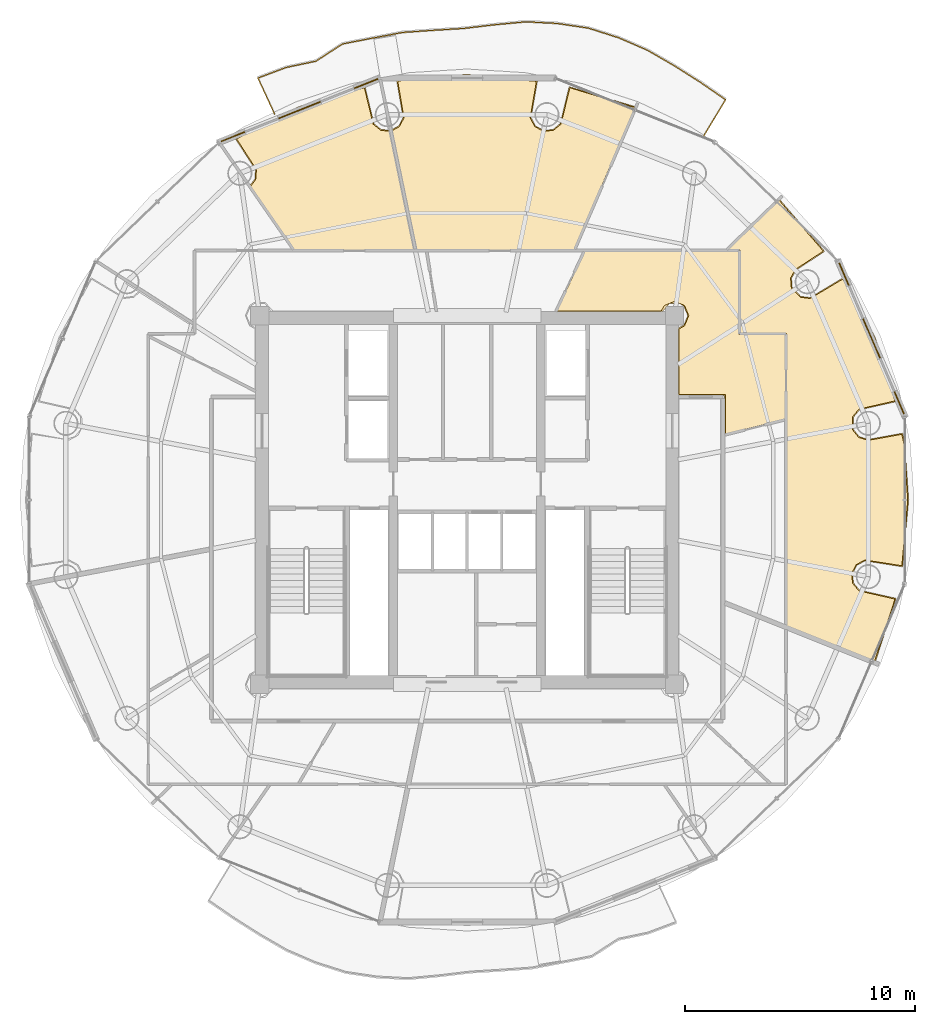
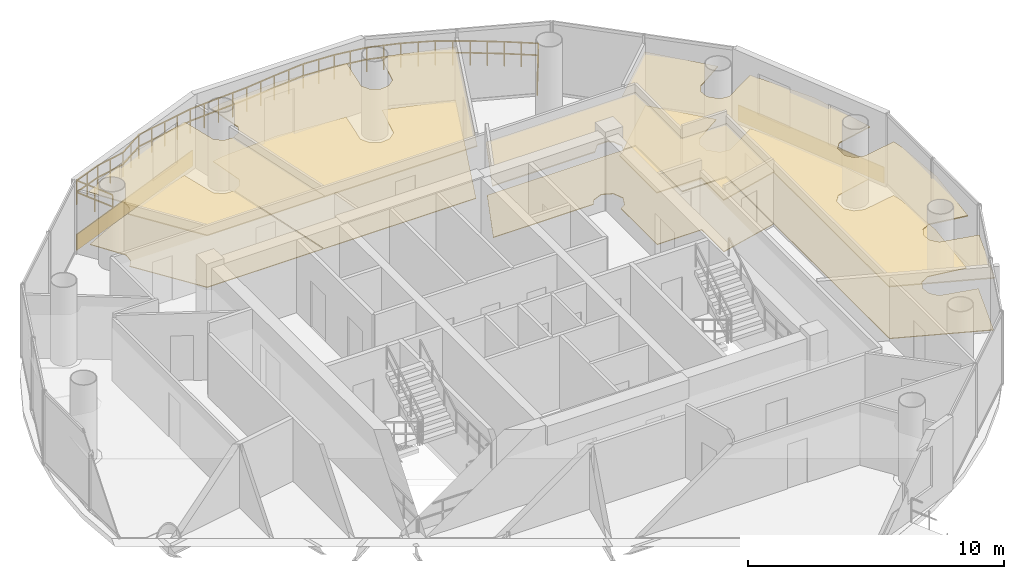
# One storey, part 23 of 23: 10 coverings, 1 railing.
"""IFC4 building model written with IfcOpenShell, lengths in metres."""

from ifc_helpers import new_model, si_unit, direction, frame, origin, origin_2d, place, context, subcontext, project, spatial, polyline, rectangle, outline, extrude, source, transform, mapped, material, layer, layer_set, type_object, element, save


model = new_model("IFC4")

# Units and contexts
model_context = context("Model", 3, precision=1e-05, world=origin(), true_north=direction((-0.2419218956, 0.970295726276)))
body_context = subcontext(model_context, "Body", "Model", "MODEL_VIEW")
ifc_project = project(units=[si_unit("LENGTHUNIT", "METRE"), si_unit("AREAUNIT", "SQUARE_METRE"), si_unit("VOLUMEUNIT", "CUBIC_METRE"), si_unit("PLANEANGLEUNIT", "RADIAN"), si_unit("MASSUNIT", "GRAM", prefix="KILO")], contexts=[model_context])

# Site, building, storey
site_placement = place(None, origin())
site = spatial("IfcSite", under=ifc_project, at=site_placement, CompositionType="ELEMENT")
building_placement = place(site_placement, origin())
building = spatial("IfcBuilding", under=site, at=building_placement, Name="Cobrevalo Terracotta Tower", CompositionType="ELEMENT")
storey_placement = place(building_placement, frame((0.0, 0.0, 248.199951171875)))
storey = spatial("IfcBuildingStorey", under=building, at=storey_placement, Name="L65", CompositionType="ELEMENT", Elevation=248.199951171875)

# Railing
ifc_material_1 = material(Name="Laminated structural glass and stainless steel", Category="steel")
railing_type = type_object("IfcRailingType", Name="Balcony lobe structural glass & terracotta-cap balustrade 1180 mm", PredefinedType="BALUSTRADE", material=ifc_material_1)
railing_placement = place(storey_placement, frame((48.234619140625, 42.54345703125, 0.0)))
element("IfcRailing", 1, at=railing_placement, inside=storey, type_object=railing_type, Name="L65 spiralling balcony lobe balustrade 1", PredefinedType="BALUSTRADE", context=body_context, shape_type="SweptSolid", body=[
    extrude(rectangle(XDim=0.048095703125, YDim=0.048095703125, at=origin_2d()), frame((0.0, 0.0, 1.15576171875), z_axis=(0.517139176741, 0.855901321345, 0.0), x_axis=(-0.855901321345, 0.517139176741, 0.0)), (0.0, 0.0, 1.0), 1.899658203125),
    extrude(rectangle(XDim=0.048095703125, YDim=0.048095703125, at=origin_2d()), frame((0.0, 0.0, 0.58984375), z_axis=(0.517139176741, 0.855901321345, 0.0), x_axis=(-0.855901321345, 0.517139176741, 0.0)), (0.0, 0.0, 1.0), 1.899658203125),
    extrude(rectangle(XDim=0.048095703125, YDim=0.048095703125, at=origin_2d()), frame((0.982421875, 1.6259765625, 1.15576171875), z_axis=(-0.823150569182, 0.567823159492, 0.0), x_axis=(-0.567823159492, -0.823150569182, 0.0)), (0.0, 0.0, 1.0), 1.328125),
    extrude(rectangle(XDim=0.048095703125, YDim=0.048095703125, at=origin_2d()), frame((0.982421875, 1.6259765625, 0.58984375), z_axis=(-0.823150569182, 0.567823159492, 0.0), x_axis=(-0.567823159492, -0.823150569182, 0.0)), (0.0, 0.0, 1.0), 1.328125),
    extrude(rectangle(XDim=0.048095703125, YDim=0.048095703125, at=origin_2d()), frame((-0.11083984375, 2.380126953125, 1.15576171875), z_axis=(-0.844214118979, 0.536006083282, 0.0), x_axis=(-0.536006083282, -0.844214118979, 0.0)), (0.0, 0.0, 1.0), 1.344970703125),
    extrude(rectangle(XDim=0.048095703125, YDim=0.048095703125, at=origin_2d()), frame((-0.11083984375, 2.380126953125, 0.58984375), z_axis=(-0.844214118979, 0.536006083282, 0.0), x_axis=(-0.536006083282, -0.844214118979, 0.0)), (0.0, 0.0, 1.0), 1.344970703125),
    extrude(rectangle(XDim=0.048095703125, YDim=0.048095703125, at=origin_2d()), frame((-1.246337890625, 3.10107421875, 1.15576171875), z_axis=(-0.865697078096, 0.500568246072, 0.0), x_axis=(-0.500568246072, -0.865697078096, 0.0)), (0.0, 0.0, 1.0), 1.357421875),
    extrude(rectangle(XDim=0.048095703125, YDim=0.048095703125, at=origin_2d()), frame((-1.246337890625, 3.10107421875, 0.58984375), z_axis=(-0.865697078096, 0.500568246072, 0.0), x_axis=(-0.500568246072, -0.865697078096, 0.0)), (0.0, 0.0, 1.0), 1.357421875),
    extrude(rectangle(XDim=0.048095703125, YDim=0.048095703125, at=origin_2d()), frame((-2.42138671875, 3.780517578125, 1.15576171875), z_axis=(-0.91861585113, 0.395151765849, 0.0), x_axis=(-0.395151765849, -0.91861585113, 0.0)), (0.0, 0.0, 1.0), 1.3623046875),
    extrude(rectangle(XDim=0.048095703125, YDim=0.048095703125, at=origin_2d()), frame((-2.42138671875, 3.780517578125, 0.58984375), z_axis=(-0.91861585113, 0.395151765849, 0.0), x_axis=(-0.395151765849, -0.91861585113, 0.0)), (0.0, 0.0, 1.0), 1.3623046875),
    extrude(rectangle(XDim=0.048095703125, YDim=0.048095703125, at=origin_2d()), frame((-3.6728515625, 4.31884765625, 1.15576171875), z_axis=(-0.952826900074, 0.303514247598, 0.0), x_axis=(-0.303514247598, -0.952826900074, 0.0)), (0.0, 0.0, 1.0), 1.362548828125),
    extrude(rectangle(XDim=0.048095703125, YDim=0.048095703125, at=origin_2d()), frame((-3.6728515625, 4.31884765625, 0.58984375), z_axis=(-0.952826900074, 0.303514247598, 0.0), x_axis=(-0.303514247598, -0.952826900074, 0.0)), (0.0, 0.0, 1.0), 1.362548828125),
    extrude(rectangle(XDim=0.048095703125, YDim=0.048095703125, at=origin_2d()), frame((-4.97119140625, 4.732421875, 1.15576171875), z_axis=(-0.989111207993, 0.14717003167, 0.0), x_axis=(-0.14717003167, -0.989111207993, 0.0)), (0.0, 0.0, 1.0), 1.366943359375),
    extrude(rectangle(XDim=0.048095703125, YDim=0.048095703125, at=origin_2d()), frame((-4.97119140625, 4.732421875, 0.58984375), z_axis=(-0.989111207993, 0.14717003167, 0.0), x_axis=(-0.14717003167, -0.989111207993, 0.0)), (0.0, 0.0, 1.0), 1.366943359375),
    extrude(rectangle(XDim=0.048095703125, YDim=0.048095703125, at=origin_2d()), frame((-6.3232421875, 4.93359375, 1.15576171875), z_axis=(-0.998620797723, 0.052502403325, 0.0), x_axis=(-0.052502403325, -0.998620797723, 0.0)), (0.0, 0.0, 1.0), 1.362548828125),
    extrude(rectangle(XDim=0.048095703125, YDim=0.048095703125, at=origin_2d()), frame((-6.3232421875, 4.93359375, 0.58984375), z_axis=(-0.998620797723, 0.052502403325, 0.0), x_axis=(-0.052502403325, -0.998620797723, 0.0)), (0.0, 0.0, 1.0), 1.362548828125),
    extrude(rectangle(XDim=0.048095703125, YDim=0.048095703125, at=origin_2d()), frame((-7.683837890625, 5.005126953125, 1.15576171875), z_axis=(-0.995644057367, -0.093235781916, 0.0), x_axis=(0.093235781916, -0.995644057367, 0.0)), (0.0, 0.0, 1.0), 1.369384765625),
    extrude(rectangle(XDim=0.048095703125, YDim=0.048095703125, at=origin_2d()), frame((-7.683837890625, 5.005126953125, 0.58984375), z_axis=(-0.995644057367, -0.093235781916, 0.0), x_axis=(0.093235781916, -0.995644057367, 0.0)), (0.0, 0.0, 1.0), 1.369384765625),
    extrude(rectangle(XDim=0.048095703125, YDim=0.048095703125, at=origin_2d()), frame((-9.04736328125, 4.87744140625, 1.15576171875), z_axis=(-0.992951250539, -0.118523474695, 0.0), x_axis=(0.118523474695, -0.992951250539, 0.0)), (0.0, 0.0, 1.0), 1.34716796875),
    extrude(rectangle(XDim=0.048095703125, YDim=0.048095703125, at=origin_2d()), frame((-9.04736328125, 4.87744140625, 0.58984375), z_axis=(-0.992951250539, -0.118523474695, 0.0), x_axis=(0.118523474695, -0.992951250539, 0.0)), (0.0, 0.0, 1.0), 1.34716796875),
    extrude(rectangle(XDim=0.048095703125, YDim=0.048095703125, at=origin_2d()), frame((-10.385009765625, 4.7177734375, 1.15576171875), z_axis=(-0.998135379418, -0.061039039596, 0.0), x_axis=(0.061039039596, -0.998135379418, 0.0)), (0.0, 0.0, 1.0), 1.327880859375),
    extrude(rectangle(XDim=0.048095703125, YDim=0.048095703125, at=origin_2d()), frame((-10.385009765625, 4.7177734375, 0.58984375), z_axis=(-0.998135379418, -0.061039039596, 0.0), x_axis=(0.061039039596, -0.998135379418, 0.0)), (0.0, 0.0, 1.0), 1.327880859375),
    extrude(rectangle(XDim=0.048095703125, YDim=0.048095703125, at=origin_2d()), frame((-11.71044921875, 4.63671875, 1.15576171875), z_axis=(-0.997556661415, -0.069862058853, 0.0), x_axis=(0.069862058853, -0.997556661415, 0.0)), (0.0, 0.0, 1.0), 1.327880859375),
    extrude(rectangle(XDim=0.048095703125, YDim=0.048095703125, at=origin_2d()), frame((-11.71044921875, 4.63671875, 0.58984375), z_axis=(-0.997556661415, -0.069862058853, 0.0), x_axis=(0.069862058853, -0.997556661415, 0.0)), (0.0, 0.0, 1.0), 1.327880859375),
    extrude(rectangle(XDim=0.048095703125, YDim=0.048095703125, at=origin_2d()), frame((-13.03515625, 4.5439453125, 1.15576171875), z_axis=(-0.982579327919, -0.185843655655, 0.0), x_axis=(0.185843655655, -0.982579327919, 0.0)), (0.0, 0.0, 1.0), 1.326904296875),
    extrude(rectangle(XDim=0.048095703125, YDim=0.048095703125, at=origin_2d()), frame((-13.03515625, 4.5439453125, 0.58984375), z_axis=(-0.982579327919, -0.185843655655, 0.0), x_axis=(0.185843655655, -0.982579327919, 0.0)), (0.0, 0.0, 1.0), 1.326904296875),
    extrude(rectangle(XDim=0.048095703125, YDim=0.048095703125, at=origin_2d()), frame((-14.3388671875, 4.29736328125, 1.15576171875), z_axis=(-0.981662284489, -0.19062832741, 0.0), x_axis=(0.19062832741, -0.981662284489, 0.0)), (0.0, 0.0, 1.0), 1.326904296875),
    extrude(rectangle(XDim=0.048095703125, YDim=0.048095703125, at=origin_2d()), frame((-14.3388671875, 4.29736328125, 0.58984375), z_axis=(-0.981662284489, -0.19062832741, 0.0), x_axis=(0.19062832741, -0.981662284489, 0.0)), (0.0, 0.0, 1.0), 1.326904296875),
    extrude(rectangle(XDim=0.048095703125, YDim=0.048095703125, at=origin_2d()), frame((-15.641357421875, 4.04443359375, 1.15576171875), z_axis=(-0.838858069873, -0.544350198502, 0.0), x_axis=(0.544350198502, -0.838858069873, 0.0)), (0.0, 0.0, 1.0), 1.3720703125),
    extrude(rectangle(XDim=0.048095703125, YDim=0.048095703125, at=origin_2d()), frame((-15.641357421875, 4.04443359375, 0.58984375), z_axis=(-0.838858069873, -0.544350198502, 0.0), x_axis=(0.544350198502, -0.838858069873, 0.0)), (0.0, 0.0, 1.0), 1.3720703125),
    extrude(rectangle(XDim=0.048095703125, YDim=0.048095703125, at=origin_2d()), frame((-16.792236328125, 3.297607421875, 1.15576171875), z_axis=(-0.978610646149, -0.205721178405, 0.0), x_axis=(0.205721178405, -0.978610646149, 0.0)), (0.0, 0.0, 1.0), 1.318603515625),
    extrude(rectangle(XDim=0.048095703125, YDim=0.048095703125, at=origin_2d()), frame((-16.792236328125, 3.297607421875, 0.58984375), z_axis=(-0.978610646149, -0.205721178405, 0.0), x_axis=(0.205721178405, -0.978610646149, 0.0)), (0.0, 0.0, 1.0), 1.318603515625),
    extrude(rectangle(XDim=0.048095703125, YDim=0.048095703125, at=origin_2d()), frame((-18.08251953125, 3.0263671875, 1.15576171875), z_axis=(-0.936237318565, -0.351368301538, 0.0), x_axis=(0.351368301538, -0.936237318565, 0.0)), (0.0, 0.0, 1.0), 1.31103515625),
    extrude(rectangle(XDim=0.048095703125, YDim=0.048095703125, at=origin_2d()), frame((-18.08251953125, 3.0263671875, 0.58984375), z_axis=(-0.936237318565, -0.351368301538, 0.0), x_axis=(0.351368301538, -0.936237318565, 0.0)), (0.0, 0.0, 1.0), 1.31103515625),
    extrude(rectangle(XDim=0.048095703125, YDim=0.048095703125, at=origin_2d()), frame((-19.31005859375, 2.565673828125, 1.15576171875), z_axis=(0.420568580849, -0.907260750172, 0.0), x_axis=(0.907260750172, 0.420568580849, 0.0)), (0.0, 0.0, 1.0), 1.731689453125),
    extrude(rectangle(XDim=0.048095703125, YDim=0.048095703125, at=origin_2d()), frame((-19.31005859375, 2.565673828125, 0.58984375), z_axis=(0.420568580849, -0.907260750172, 0.0), x_axis=(0.907260750172, 0.420568580849, 0.0)), (0.0, 0.0, 1.0), 1.731689453125),
    extrude(rectangle(XDim=0.0419921875, YDim=0.0419921875, at=origin_2d()), origin(), (0.0, 0.0, 1.0), 1.1318359375),
    extrude(rectangle(XDim=0.0419921875, YDim=0.0419921875, at=origin_2d()), frame((0.4912109375, 0.81298828125, 0.0)), (0.0, 0.0, 1.0), 1.1318359375),
    extrude(rectangle(XDim=0.0419921875, YDim=0.0419921875, at=origin_2d()), frame((0.982421875, 1.6259765625, 0.0)), (0.0, 0.0, 1.0), 1.1318359375),
    extrude(rectangle(XDim=0.0419921875, YDim=0.0419921875, at=origin_2d()), frame((0.435791015625, 2.0029296875, 0.0)), (0.0, 0.0, 1.0), 1.1318359375),
    extrude(rectangle(XDim=0.0419921875, YDim=0.0419921875, at=origin_2d()), frame((-0.11083984375, 2.380126953125, 0.0)), (0.0, 0.0, 1.0), 1.1318359375),
    extrude(rectangle(XDim=0.0419921875, YDim=0.0419921875, at=origin_2d()), frame((-0.6787109375, 2.74072265625, 0.0)), (0.0, 0.0, 1.0), 1.1318359375),
    extrude(rectangle(XDim=0.0419921875, YDim=0.0419921875, at=origin_2d()), frame((-1.246337890625, 3.10107421875, 0.0)), (0.0, 0.0, 1.0), 1.1318359375),
    extrude(rectangle(XDim=0.0419921875, YDim=0.0419921875, at=origin_2d()), frame((-1.833984375, 3.44091796875, 0.0)), (0.0, 0.0, 1.0), 1.1318359375),
    extrude(rectangle(XDim=0.0419921875, YDim=0.0419921875, at=origin_2d()), frame((-2.42138671875, 3.780517578125, 0.0)), (0.0, 0.0, 1.0), 1.1318359375),
    extrude(rectangle(XDim=0.0419921875, YDim=0.0419921875, at=origin_2d()), frame((-3.047119140625, 4.0498046875, 0.0)), (0.0, 0.0, 1.0), 1.1318359375),
    extrude(rectangle(XDim=0.0419921875, YDim=0.0419921875, at=origin_2d()), frame((-3.6728515625, 4.31884765625, 0.0)), (0.0, 0.0, 1.0), 1.1318359375),
    extrude(rectangle(XDim=0.0419921875, YDim=0.0419921875, at=origin_2d()), frame((-4.322021484375, 4.525634765625, 0.0)), (0.0, 0.0, 1.0), 1.1318359375),
    extrude(rectangle(XDim=0.0419921875, YDim=0.0419921875, at=origin_2d()), frame((-4.97119140625, 4.732421875, 0.0)), (0.0, 0.0, 1.0), 1.1318359375),
    extrude(rectangle(XDim=0.0419921875, YDim=0.0419921875, at=origin_2d()), frame((-5.647216796875, 4.8330078125, 0.0)), (0.0, 0.0, 1.0), 1.1318359375),
    extrude(rectangle(XDim=0.0419921875, YDim=0.0419921875, at=origin_2d()), frame((-6.3232421875, 4.93359375, 0.0)), (0.0, 0.0, 1.0), 1.1318359375),
    extrude(rectangle(XDim=0.0419921875, YDim=0.0419921875, at=origin_2d()), frame((-7.00341796875, 4.96923828125, 0.0)), (0.0, 0.0, 1.0), 1.1318359375),
    extrude(rectangle(XDim=0.0419921875, YDim=0.0419921875, at=origin_2d()), frame((-7.683837890625, 5.005126953125, 0.0)), (0.0, 0.0, 1.0), 1.1318359375),
    extrude(rectangle(XDim=0.0419921875, YDim=0.0419921875, at=origin_2d()), frame((-8.36572265625, 4.94140625, 0.0)), (0.0, 0.0, 1.0), 1.1318359375),
    extrude(rectangle(XDim=0.0419921875, YDim=0.0419921875, at=origin_2d()), frame((-9.04736328125, 4.87744140625, 0.0)), (0.0, 0.0, 1.0), 1.1318359375),
    extrude(rectangle(XDim=0.0419921875, YDim=0.0419921875, at=origin_2d()), frame((-9.71630859375, 4.797607421875, 0.0)), (0.0, 0.0, 1.0), 1.1318359375),
    extrude(rectangle(XDim=0.0419921875, YDim=0.0419921875, at=origin_2d()), frame((-10.385009765625, 4.7177734375, 0.0)), (0.0, 0.0, 1.0), 1.1318359375),
    extrude(rectangle(XDim=0.0419921875, YDim=0.0419921875, at=origin_2d()), frame((-11.0478515625, 4.67724609375, 0.0)), (0.0, 0.0, 1.0), 1.1318359375),
    extrude(rectangle(XDim=0.0419921875, YDim=0.0419921875, at=origin_2d()), frame((-11.71044921875, 4.63671875, 0.0)), (0.0, 0.0, 1.0), 1.1318359375),
    extrude(rectangle(XDim=0.0419921875, YDim=0.0419921875, at=origin_2d()), frame((-12.372802734375, 4.59033203125, 0.0)), (0.0, 0.0, 1.0), 1.1318359375),
    extrude(rectangle(XDim=0.0419921875, YDim=0.0419921875, at=origin_2d()), frame((-13.03515625, 4.5439453125, 0.0)), (0.0, 0.0, 1.0), 1.1318359375),
    extrude(rectangle(XDim=0.0419921875, YDim=0.0419921875, at=origin_2d()), frame((-13.68701171875, 4.420654296875, 0.0)), (0.0, 0.0, 1.0), 1.1318359375),
    extrude(rectangle(XDim=0.0419921875, YDim=0.0419921875, at=origin_2d()), frame((-14.3388671875, 4.29736328125, 0.0)), (0.0, 0.0, 1.0), 1.1318359375),
    extrude(rectangle(XDim=0.0419921875, YDim=0.0419921875, at=origin_2d()), frame((-14.990234375, 4.1708984375, 0.0)), (0.0, 0.0, 1.0), 1.1318359375),
    extrude(rectangle(XDim=0.0419921875, YDim=0.0419921875, at=origin_2d()), frame((-15.641357421875, 4.04443359375, 0.0)), (0.0, 0.0, 1.0), 1.1318359375),
    extrude(rectangle(XDim=0.0419921875, YDim=0.0419921875, at=origin_2d()), frame((-16.216796875, 3.6708984375, 0.0)), (0.0, 0.0, 1.0), 1.1318359375),
    extrude(rectangle(XDim=0.0419921875, YDim=0.0419921875, at=origin_2d()), frame((-16.792236328125, 3.297607421875, 0.0)), (0.0, 0.0, 1.0), 1.1318359375),
    extrude(rectangle(XDim=0.0419921875, YDim=0.0419921875, at=origin_2d()), frame((-17.4375, 3.162109375, 0.0)), (0.0, 0.0, 1.0), 1.1318359375),
    extrude(rectangle(XDim=0.0419921875, YDim=0.0419921875, at=origin_2d()), frame((-18.08251953125, 3.0263671875, 0.0)), (0.0, 0.0, 1.0), 1.1318359375),
    extrude(rectangle(XDim=0.0419921875, YDim=0.0419921875, at=origin_2d()), frame((-18.6962890625, 2.7958984375, 0.0)), (0.0, 0.0, 1.0), 1.1318359375),
    extrude(rectangle(XDim=0.0419921875, YDim=0.0419921875, at=origin_2d()), frame((-19.31005859375, 2.565673828125, 0.0)), (0.0, 0.0, 1.0), 1.1318359375),
    extrude(rectangle(XDim=0.0419921875, YDim=0.0419921875, at=origin_2d()), frame((-18.94580078125, 1.7802734375, 0.0)), (0.0, 0.0, 1.0), 1.1318359375),
    extrude(rectangle(XDim=0.0419921875, YDim=0.0419921875, at=origin_2d()), frame((-18.581787109375, 0.99462890625, 0.0)), (0.0, 0.0, 1.0), 1.1318359375),
])

# Coverings
ifc_material_2 = material(Name="Engineered Brazilian hardwood flooring", Category="wood")
ifc_layer_1 = layer(ifc_material_2, 0.028076171875)
ifc_layer_set_1 = layer_set([ifc_layer_1], Name="Engineered Brazilian hardwood flooring")
covering_type_1 = type_object("IfcCoveringType", Name="Engineered Hardwood Suite Flooring 28", PredefinedType="FLOORING", material=ifc_layer_set_1)
covering_1_placement = place(storey_placement, origin())
element("IfcCovering", 2, at=covering_1_placement, inside=storey, type_object=covering_type_1, Name="Flat L65A Penthouse Living and Dining Room floor finish", PredefinedType="FLOORING", context=body_context, shape_type="SweptSolid", body=[
    extrude(outline(polyline([(51.52978515625, 39.81396484375), (53.4560546875, 37.599365234375), (52.2451171875, 36.805419921875), (52.035400390625, 36.43017578125), (52.06982421875, 36.001953125), (52.462890625, 35.593994140625), (52.8896484375, 35.5439453125), (54.300048828125, 36.382568359375), (55.66455078125, 33.848876953125), (56.56494140625, 31.1005859375), (55.00244140625, 30.74462890625), (54.727294921875, 30.41455078125), (54.72314453125, 29.84814453125), (54.9931640625, 29.51416015625), (55.4033203125, 29.38623046875), (56.8642578125, 29.65087890625), (56.956298828125, 29.2041015625), (57.119873046875, 26.800048828125), (56.8642578125, 23.948974609375), (55.259033203125, 24.198486328125), (54.881591796875, 23.9931640625), (54.681884765625, 23.612548828125), (54.727294921875, 23.185302734375), (55.00244140625, 22.855224609375), (56.56494140625, 22.49951171875), (55.669921875, 19.766357421875), (51.85498046875, 21.289794921875), (51.85498046875, 34.030029296875), (49.844970703125, 34.030029296875), (49.844970703125, 37.64501953125), (49.27978515625, 37.64501953125), (51.52978515625, 39.81396484375)])), origin(), (0.0, 0.0, 1.0), 0.030029296875),
])
covering_2_placement = place(storey_placement, origin())
element("IfcCovering", 3, at=covering_2_placement, inside=storey, type_object=covering_type_1, Name="Flat L65A Penthouse Family Lounge floor finish", PredefinedType="FLOORING", context=body_context, shape_type="SweptSolid", body=[
    extrude(outline(polyline([(34.71728515625, 42.80712890625), (35.064453125, 43.003173828125), (35.26416015625, 43.3837890625), (34.994140625, 44.964599609375), (35.504150390625, 45.062255859375), (38.0, 45.219970703125), (41.005859375, 44.964599609375), (40.73583984375, 43.3837890625), (40.935546875, 43.003173828125), (41.312744140625, 42.797607421875), (41.74072265625, 42.83642578125), (42.074951171875, 43.1064453125), (42.45947265625, 44.68603515625), (45.294189453125, 43.8251953125), (42.638427734375, 37.64501953125), (35.782470703125, 37.64501953125), (34.71728515625, 42.80712890625)])), origin(), (0.0, 0.0, 1.0), 0.030029296875),
])
covering_3_placement = place(storey_placement, origin())
element("IfcCovering", 4, at=covering_3_placement, inside=storey, type_object=covering_type_1, Name="Flat L65A Principal Guest Bedroom floor finish", PredefinedType="FLOORING", context=body_context, shape_type="SweptSolid", body=[
    extrude(outline(polyline([(28.59716796875, 40.399658203125), (28.82763671875, 40.706298828125), (28.861572265625, 41.134521484375), (28.00146484375, 42.4697265625), (30.682861328125, 43.817626953125), (33.54052734375, 44.68603515625), (33.925048828125, 43.1064453125), (34.25927734375, 42.83642578125), (34.678466796875, 42.796630859375), (35.74169921875, 37.64501953125), (30.506591796875, 37.64501953125), (28.59716796875, 40.399658203125)])), origin(), (0.0, 0.0, 1.0), 0.030029296875),
])
ifc_material_3 = material(Name="Honed terracotta and granite tile", Category="masonry")
ifc_layer_2 = layer(ifc_material_3, 0.034912109375)
ifc_layer_set_2 = layer_set([ifc_layer_2], Name="Honed terracotta and granite tile")
covering_type_2 = type_object("IfcCoveringType", Name="Honed Terracotta & Granite Interior Flooring 35", PredefinedType="FLOORING", material=ifc_layer_set_2)
covering_4_placement = place(storey_placement, origin())
element("IfcCovering", 5, at=covering_4_placement, inside=storey, type_object=covering_type_2, Name="Flat L65A Apartment Entrance Hall floor finish", PredefinedType="FLOORING", context=body_context, shape_type="SweptSolid", body=[
    extrude(outline(polyline([(47.195068359375, 31.3798828125), (47.195068359375, 34.218505859375), (47.438720703125, 34.361328125), (47.620361328125, 34.800048828125), (47.438720703125, 35.23876953125), (47.0, 35.42041015625), (46.561279296875, 35.23876953125), (46.41845703125, 34.9951171875), (41.885009765625, 34.9951171875), (43.115234375, 37.60498046875), (49.804931640625, 37.60498046875), (49.804931640625, 33.989990234375), (51.81494140625, 33.989990234375), (51.81494140625, 30.312255859375), (49.205078125, 29.652587890625), (49.205078125, 31.3798828125), (47.195068359375, 31.3798828125)])), origin(), (0.0, 0.0, 1.0), 0.030029296875),
])
ifc_material_4 = material(Name="Acoustic perforated gypsum ceiling", Category="gypsum")
ifc_layer_3 = layer(ifc_material_4, 0.050048828125)
ifc_layer_set_3 = layer_set([ifc_layer_3], Name="Acoustic perforated gypsum ceiling")
covering_type_3 = type_object("IfcCoveringType", Name="Perforated Acoustic Gypsum Ceiling 50", PredefinedType="CEILING", material=ifc_layer_set_3)
covering_5_placement = place(storey_placement, frame((0.0, 0.0, 2.5)))
element("IfcCovering", 6, at=covering_5_placement, inside=storey, type_object=covering_type_3, Name="Flat L65A Penthouse Living and Dining Room acoustic ceiling", PredefinedType="CEILING", context=body_context, shape_type="SweptSolid", body=[
    extrude(outline(polyline([(51.531982421875, 39.87841796875), (53.51953125, 37.586669921875), (52.2763671875, 36.772705078125), (52.07958984375, 36.420654296875), (52.11181640625, 36.0185546875), (52.48095703125, 35.635498046875), (52.881591796875, 35.588623046875), (54.312255859375, 36.44384765625), (55.7060546875, 33.86669921875), (56.6181640625, 31.06494140625), (55.02734375, 30.70703125), (54.76904296875, 30.39697265625), (54.764892578125, 29.865234375), (55.0185546875, 29.551513671875), (55.40380859375, 29.431396484375), (56.899169921875, 29.703369140625), (57.0009765625, 29.210205078125), (57.1650390625, 26.800048828125), (56.899169921875, 23.896484375), (55.268310546875, 24.154296875), (54.913818359375, 23.96142578125), (54.726318359375, 23.60400390625), (54.76904296875, 23.202880859375), (55.02734375, 22.89306640625), (56.6181640625, 22.53515625), (55.69677734375, 19.707275390625), (51.81005859375, 21.25927734375), (51.81005859375, 33.985107421875), (49.800048828125, 33.985107421875), (49.800048828125, 37.60009765625), (49.168212890625, 37.60009765625), (51.531982421875, 39.87841796875)])), origin(), (0.0, 0.0, 1.0), 0.050048828125),
])
covering_6_placement = place(storey_placement, frame((0.0, 0.0, 2.5)))
element("IfcCovering", 7, at=covering_6_placement, inside=storey, type_object=covering_type_3, Name="Flat L65A Penthouse Family Lounge acoustic ceiling", PredefinedType="CEILING", context=body_context, shape_type="SweptSolid", body=[
    extrude(outline(polyline([(34.6650390625, 42.837890625), (35.0322265625, 43.034912109375), (35.2197265625, 43.39208984375), (34.94091796875, 45.000244140625), (35.49853515625, 45.107177734375), (38.0, 45.26513671875), (41.05908203125, 45.000244140625), (40.7802734375, 43.39208984375), (40.9677734375, 43.034912109375), (41.322021484375, 42.842041015625), (41.7236328125, 42.87841796875), (42.03759765625, 43.1318359375), (42.424560546875, 44.738525390625), (45.35498046875, 43.852783203125), (42.668212890625, 37.60009765625), (35.745849609375, 37.60009765625), (34.6650390625, 42.837890625)])), origin(), (0.0, 0.0, 1.0), 0.050048828125),
])
covering_7_placement = place(storey_placement, frame((0.0, 0.0, 2.5)))
element("IfcCovering", 8, at=covering_7_placement, inside=storey, type_object=covering_type_3, Name="Flat L65A Principal Guest Bedroom acoustic ceiling", PredefinedType="CEILING", context=body_context, shape_type="SweptSolid", body=[
    extrude(outline(polyline([(28.537109375, 40.407470703125), (28.785400390625, 40.72265625), (28.8173828125, 41.124755859375), (27.937744140625, 42.482421875), (30.666259765625, 43.859619140625), (33.575439453125, 44.738525390625), (33.96240234375, 43.1318359375), (34.2763671875, 42.87841796875), (34.71435546875, 42.845703125), (35.796875, 37.60009765625), (30.483154296875, 37.60009765625), (28.537109375, 40.407470703125)])), origin(), (0.0, 0.0, 1.0), 0.050048828125),
])
covering_8_placement = place(storey_placement, frame((0.0, 0.0, 2.5)))
element("IfcCovering", 9, at=covering_8_placement, inside=storey, type_object=covering_type_3, Name="Flat L65A Apartment Entrance Hall acoustic ceiling", PredefinedType="CEILING", context=body_context, shape_type="SweptSolid", body=[
    extrude(outline(polyline([(47.14990234375, 31.3349609375), (47.14990234375, 34.25537109375), (47.40625, 34.393798828125), (47.574462890625, 34.800048828125), (47.40625, 35.206298828125), (47.219970703125, 35.330810546875), (46.780029296875, 35.330810546875), (46.455322265625, 34.949951171875), (41.81396484375, 34.949951171875), (43.086669921875, 37.64990234375), (49.85009765625, 37.64990234375), (49.85009765625, 34.034912109375), (51.860107421875, 34.034912109375), (51.860107421875, 30.27734375), (49.159912109375, 29.5947265625), (49.159912109375, 31.3349609375), (47.14990234375, 31.3349609375)])), origin(), (0.0, 0.0, 1.0), 0.050048828125),
])
ifc_material_5 = material(Name="Glazed terracotta facade cladding tile", Category="masonry")
ifc_layer_4 = layer(ifc_material_5, 0.044921875)
ifc_layer_set_4 = layer_set([ifc_layer_4], Name="Glazed terracotta facade cladding tile")
covering_type_4 = type_object("IfcCoveringType", Name="Architectural terracotta rainscreen spandrel cladding 45 mm", PredefinedType="CLADDING", material=ifc_layer_set_4)
shared_shape_1 = source(origin(), body_context, "Body", "SweptSolid", [
    extrude(rectangle(XDim=7.125244140625, YDim=0.044921875, at=origin_2d()), origin(), (0.0, 0.0, 1.0), 0.760009765625),
])
covering_9_placement = place(storey_placement, frame((55.5517578125, 33.807373046875, 0.0400390625), z_axis=(0.0, 0.0, 1.0), x_axis=(-0.394828845134, 0.918754691444, 0.0)))
element("IfcCovering", 10, at=covering_9_placement, inside=storey, type_object=covering_type_4, Name="L65 terracotta spandrel cladding S01", PredefinedType="CLADDING", context=body_context, shape_type="MappedRepresentation", body=[
    mapped(shared_shape_1, transform((0.0, 0.0, 0.0), scale=1.0)),
])
shared_shape_2 = source(origin(), body_context, "Body", "SweptSolid", [
    extrude(rectangle(XDim=7.318359375, YDim=0.044921875, at=origin_2d()), origin(), (0.0, 0.0, 1.0), 0.760009765625),
])
covering_10_placement = place(storey_placement, frame((30.729736328125, 43.71728515625, 0.0400390625), z_axis=(0.0, 0.0, 1.0), x_axis=(-0.92871833374, -0.370785998353, 0.0)))
element("IfcCovering", 11, at=covering_10_placement, inside=storey, type_object=covering_type_4, Name="L65 terracotta spandrel cladding S05", PredefinedType="CLADDING", context=body_context, shape_type="MappedRepresentation", body=[
    mapped(shared_shape_2, transform((0.0, 0.0, 0.0), scale=1.0)),
])

save(model, "model.ifc")
